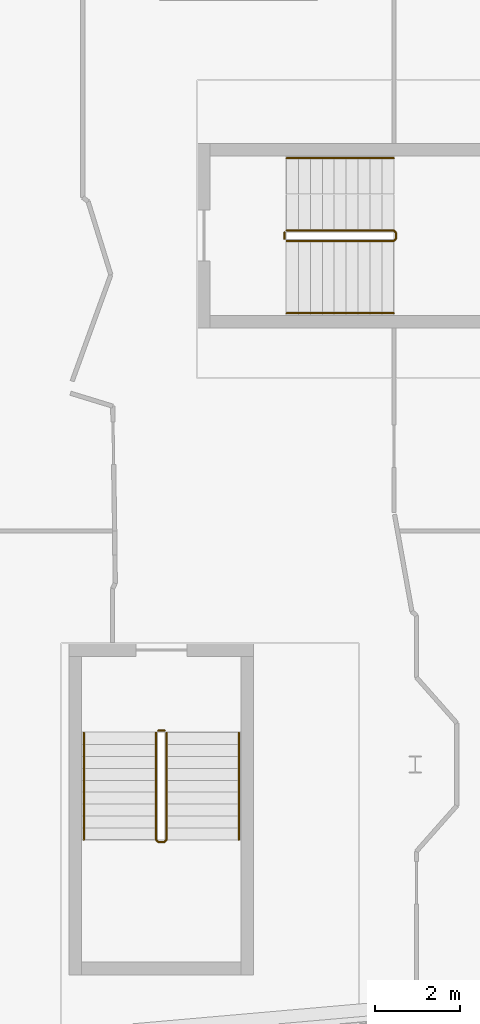
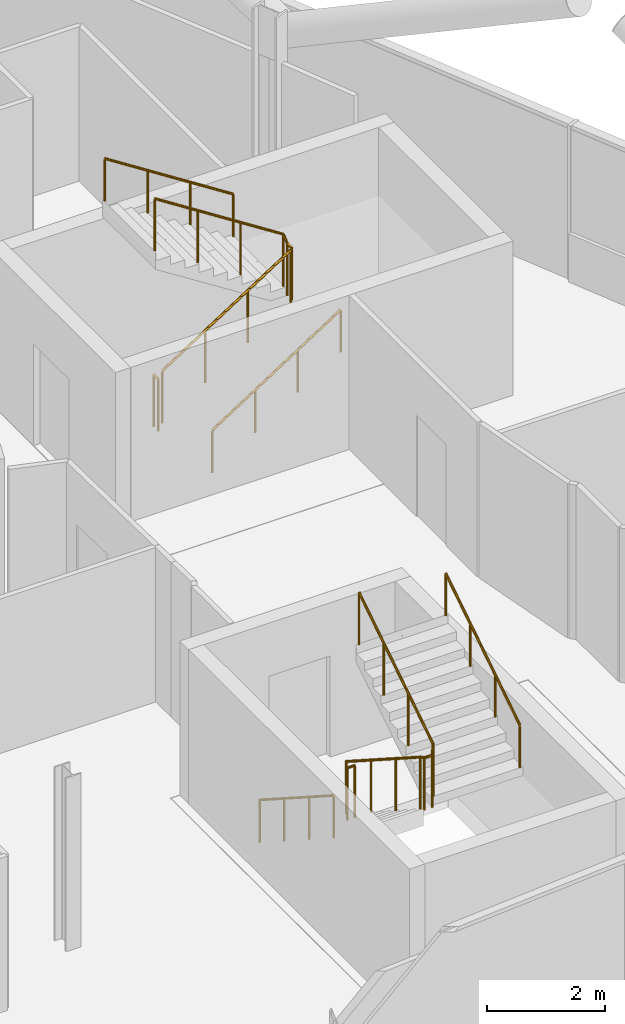
# One storey, part 27 of 28: 8 railings.
"""IFC4 building model written with IfcOpenShell, lengths in metres."""

from ifc_helpers import new_model, si_unit, direction, frame, origin, origin_2d, place, context, subcontext, project, spatial, circle, extrude, material, type_object, element, save


model = new_model("IFC4")

# Units and contexts
model_context = context("Model", 3, precision=1e-05, world=origin(), true_north=direction((0.0, 1.0)))
body_context = subcontext(model_context, "Body", "Model", "MODEL_VIEW")
ifc_project = project(units=[si_unit("LENGTHUNIT", "METRE"), si_unit("AREAUNIT", "SQUARE_METRE"), si_unit("VOLUMEUNIT", "CUBIC_METRE"), si_unit("PLANEANGLEUNIT", "RADIAN"), si_unit("MASSUNIT", "GRAM", prefix="KILO")], contexts=[model_context])

# Site, building, storey
site_placement = place(None, origin())
site = spatial("IfcSite", under=ifc_project, at=site_placement, CompositionType="ELEMENT")
building_placement = place(site_placement, origin())
building = spatial("IfcBuilding", under=site, at=building_placement, Name="Wharfspan Tower", CompositionType="ELEMENT")
storey_placement = place(building_placement, frame((0.0, 0.0, 250.300049)))
storey = spatial("IfcBuildingStorey", under=building, at=storey_placement, Name="L63", CompositionType="ELEMENT", Elevation=250.300049)

# Railings
ifc_material = material(Name="Steel S355J2", Category="steel")
railing_type_1 = type_object("IfcRailingType", Name="Stair guard 1100", PredefinedType="GUARDRAIL", material=ifc_material)
railing_1_placement = place(storey_placement, frame((65.893799, 12.246094, 0.179932)))
element("IfcRailing", 1, at=railing_1_placement, inside=storey, type_object=railing_type_1, Name="L63 ST5 stair guard 1", PredefinedType="GUARDRAIL", context=body_context, shape_type="SweptSolid", body=[
    extrude(circle(Radius=0.023926, at=origin_2d()), frame((0.0, 0.0, 1.076172), z_axis=(0.0, -0.841163, 0.540782), x_axis=(1.0, 0.0, 0.0)), (0.0, 0.0, 1.0), 2.99585),
    extrude(circle(Radius=0.023926, at=origin_2d()), frame((0.0, -2.52002, 2.696289), z_axis=(0.708834, -0.705376, 0.0), x_axis=(0.705376, 0.708834, 0.0)), (0.0, 0.0, 1.0), 0.070557),
    extrude(circle(Radius=0.023926, at=origin_2d()), frame((0.050049, -2.569824, 2.696289), z_axis=(1.0, 0.0, 0.0), x_axis=(0.0, 1.0, 0.0)), (0.0, 0.0, 1.0), 0.149902),
    extrude(circle(Radius=0.023926, at=origin_2d()), frame((0.199951, -2.569824, 2.696289), z_axis=(0.258932, 0.257669, 0.930892), x_axis=(-0.705372, 0.708833, -1e-06)), (0.0, 0.0, 1.0), 0.193359),
    extrude(circle(Radius=0.023926, at=origin_2d()), frame((0.25, -2.52002, 2.875977), z_axis=(0.0, 0.8412, 0.540725), x_axis=(-1.0, 0.0, 0.0)), (0.0, 0.0, 1.0), 2.99585),
    extrude(circle(Radius=0.020996, at=origin_2d()), origin(), (0.0, 0.0, 1.0), 1.052002),
    extrude(circle(Radius=0.020996, at=origin_2d()), frame((0.0, -0.840088, 0.540039)), (0.0, 0.0, 1.0), 1.052002),
    extrude(circle(Radius=0.020996, at=origin_2d()), frame((0.0, -1.679932, 1.080078)), (0.0, 0.0, 1.0), 1.052002),
    extrude(circle(Radius=0.020996, at=origin_2d()), frame((0.0, -2.52002, 1.620117)), (0.0, 0.0, 1.0), 1.052002),
    extrude(circle(Radius=0.020996, at=origin_2d()), frame((0.050049, -2.569824, 1.620117)), (0.0, 0.0, 1.0), 1.052002),
    extrude(circle(Radius=0.020996, at=origin_2d()), frame((0.199951, -2.569824, 1.620117)), (0.0, 0.0, 1.0), 1.052002),
    extrude(circle(Radius=0.020996, at=origin_2d()), frame((0.25, -2.52002, 1.800049)), (0.0, 0.0, 1.0), 1.052002),
    extrude(circle(Radius=0.020996, at=origin_2d()), frame((0.25, -1.679932, 2.340088)), (0.0, 0.0, 1.0), 1.052002),
    extrude(circle(Radius=0.020996, at=origin_2d()), frame((0.25, -0.840088, 2.879883)), (0.0, 0.0, 1.0), 1.052002),
    extrude(circle(Radius=0.020996, at=origin_2d()), frame((0.25, 0.0, 3.419922)), (0.0, 0.0, 1.0), 1.052002),
])
railing_2_placement = place(storey_placement, frame((65.943848, 12.296143, 0.0)))
element("IfcRailing", 2, at=railing_2_placement, inside=storey, type_object=railing_type_1, Name="L63 ST5 stair guard 2", PredefinedType="GUARDRAIL", context=body_context, shape_type="SweptSolid", body=[
    extrude(circle(Radius=0.023926, at=origin_2d()), frame((0.0, 0.0, 1.076172), z_axis=(1.0, 0.0, 0.0), x_axis=(0.0, 1.0, 0.0)), (0.0, 0.0, 1.0), 0.149902),
    extrude(circle(Radius=0.020996, at=origin_2d()), origin(), (0.0, 0.0, 1.0), 1.052002),
    extrude(circle(Radius=0.020996, at=origin_2d()), frame((0.149902, 0.0, 0.0)), (0.0, 0.0, 1.0), 1.052002),
])
railing_3_placement = place(storey_placement, frame((68.969482, 23.824951, 0.179932)))
element("IfcRailing", 3, at=railing_3_placement, inside=storey, type_object=railing_type_1, Name="L63 ST6 stair guard 1", PredefinedType="GUARDRAIL", context=body_context, shape_type="SweptSolid", body=[
    extrude(circle(Radius=0.023926, at=origin_2d()), frame((0.0, 0.0, 1.076172), z_axis=(0.841163, 0.0, 0.540782), x_axis=(0.0, 1.0, 0.0)), (0.0, 0.0, 1.0), 2.99585),
    extrude(circle(Radius=0.023926, at=origin_2d()), frame((2.52002, 0.0, 2.696289), z_axis=(0.707107, 0.707107, 0.0), x_axis=(-0.707107, 0.707107, 0.0)), (0.0, 0.0, 1.0), 0.070801),
    extrude(circle(Radius=0.023926, at=origin_2d()), frame((2.570068, 0.050049, 2.696289), z_axis=(0.0, 1.0, 0.0), x_axis=(-1.0, 0.0, 0.0)), (0.0, 0.0, 1.0), 0.149902),
    extrude(circle(Radius=0.023926, at=origin_2d()), frame((2.570068, 0.199951, 2.696289), z_axis=(-0.258848, 0.258848, 0.930589), x_axis=(-0.707107, -0.707107, 0.0)), (0.0, 0.0, 1.0), 0.193359),
    extrude(circle(Radius=0.023926, at=origin_2d()), frame((2.52002, 0.25, 2.875977), z_axis=(-0.8412, 0.0, 0.540725), x_axis=(0.0, -1.0, 0.0)), (0.0, 0.0, 1.0), 2.99585),
    extrude(circle(Radius=0.020996, at=origin_2d()), origin(), (0.0, 0.0, 1.0), 1.052002),
    extrude(circle(Radius=0.020996, at=origin_2d()), frame((0.840088, 0.0, 0.540039)), (0.0, 0.0, 1.0), 1.052002),
    extrude(circle(Radius=0.020996, at=origin_2d()), frame((1.679932, 0.0, 1.080078)), (0.0, 0.0, 1.0), 1.052002),
    extrude(circle(Radius=0.020996, at=origin_2d()), frame((2.52002, 0.0, 1.620117)), (0.0, 0.0, 1.0), 1.052002),
    extrude(circle(Radius=0.020996, at=origin_2d()), frame((2.570068, 0.050049, 1.620117)), (0.0, 0.0, 1.0), 1.052002),
    extrude(circle(Radius=0.020996, at=origin_2d()), frame((2.570068, 0.199951, 1.620117)), (0.0, 0.0, 1.0), 1.052002),
    extrude(circle(Radius=0.020996, at=origin_2d()), frame((2.52002, 0.25, 1.800049)), (0.0, 0.0, 1.0), 1.052002),
    extrude(circle(Radius=0.020996, at=origin_2d()), frame((1.679932, 0.25, 2.340088)), (0.0, 0.0, 1.0), 1.052002),
    extrude(circle(Radius=0.020996, at=origin_2d()), frame((0.840088, 0.25, 2.879883)), (0.0, 0.0, 1.0), 1.052002),
    extrude(circle(Radius=0.020996, at=origin_2d()), frame((0.0, 0.25, 3.419922)), (0.0, 0.0, 1.0), 1.052002),
])
railing_4_placement = place(storey_placement, frame((68.919678, 23.875, 0.0)))
element("IfcRailing", 4, at=railing_4_placement, inside=storey, type_object=railing_type_1, Name="L63 ST6 stair guard 2", PredefinedType="GUARDRAIL", context=body_context, shape_type="SweptSolid", body=[
    extrude(circle(Radius=0.023926, at=origin_2d()), frame((0.0, 0.0, 1.076172), z_axis=(0.0, 1.0, 0.0), x_axis=(-1.0, 0.0, 0.0)), (0.0, 0.0, 1.0), 0.149902),
    extrude(circle(Radius=0.020996, at=origin_2d()), origin(), (0.0, 0.0, 1.0), 1.052002),
    extrude(circle(Radius=0.020996, at=origin_2d()), frame((0.0, 0.149902, 0.0)), (0.0, 0.0, 1.0), 1.052002),
])
railing_type_2 = type_object("IfcRailingType", Name="Stair handrail 900", PredefinedType="HANDRAIL", material=ifc_material)
railing_5_placement = place(storey_placement, frame((64.193848, 12.246094, 0.179932)))
element("IfcRailing", 5, at=railing_5_placement, inside=storey, type_object=railing_type_2, Name="L63 ST5 stair handrail 1", PredefinedType="HANDRAIL", context=body_context, shape_type="SweptSolid", body=[
    extrude(circle(Radius=0.023926, at=origin_2d()), frame((0.0, 0.0, 0.875977), z_axis=(0.0, -0.841163, 0.540782), x_axis=(1.0, 0.0, 0.0)), (0.0, 0.0, 1.0), 2.99585),
    extrude(circle(Radius=0.020996, at=origin_2d()), origin(), (0.0, 0.0, 1.0), 0.851807),
    extrude(circle(Radius=0.020996, at=origin_2d()), frame((0.0, -0.840088, 0.540039)), (0.0, 0.0, 1.0), 0.851807),
    extrude(circle(Radius=0.020996, at=origin_2d()), frame((0.0, -1.679932, 1.080078)), (0.0, 0.0, 1.0), 0.851807),
    extrude(circle(Radius=0.020996, at=origin_2d()), frame((0.0, -2.52002, 1.620117)), (0.0, 0.0, 1.0), 0.851807),
])
railing_6_placement = place(storey_placement, frame((67.84375, 9.726074, 1.97998)))
element("IfcRailing", 6, at=railing_6_placement, inside=storey, type_object=railing_type_2, Name="L63 ST5 stair handrail 2", PredefinedType="HANDRAIL", context=body_context, shape_type="SweptSolid", body=[
    extrude(circle(Radius=0.023926, at=origin_2d()), frame((0.0, 0.0, 0.875977), z_axis=(0.0, 0.8412, 0.540725), x_axis=(-1.0, 0.0, 0.0)), (0.0, 0.0, 1.0), 2.99585),
    extrude(circle(Radius=0.020996, at=origin_2d()), origin(), (0.0, 0.0, 1.0), 0.851807),
    extrude(circle(Radius=0.020996, at=origin_2d()), frame((0.0, 0.840088, 0.540039)), (0.0, 0.0, 1.0), 0.851807),
    extrude(circle(Radius=0.020996, at=origin_2d()), frame((0.0, 1.679932, 1.079834)), (0.0, 0.0, 1.0), 0.851807),
    extrude(circle(Radius=0.020996, at=origin_2d()), frame((0.0, 2.52002, 1.619873)), (0.0, 0.0, 1.0), 0.851807),
])
railing_7_placement = place(storey_placement, frame((68.969482, 22.125, 0.179932)))
element("IfcRailing", 7, at=railing_7_placement, inside=storey, type_object=railing_type_2, Name="L63 ST6 stair handrail 1", PredefinedType="HANDRAIL", context=body_context, shape_type="SweptSolid", body=[
    extrude(circle(Radius=0.023926, at=origin_2d()), frame((0.0, 0.0, 0.875977), z_axis=(0.841163, 0.0, 0.540782), x_axis=(0.0, 1.0, 0.0)), (0.0, 0.0, 1.0), 2.99585),
    extrude(circle(Radius=0.020996, at=origin_2d()), origin(), (0.0, 0.0, 1.0), 0.851807),
    extrude(circle(Radius=0.020996, at=origin_2d()), frame((0.840088, 0.0, 0.540039)), (0.0, 0.0, 1.0), 0.851807),
    extrude(circle(Radius=0.020996, at=origin_2d()), frame((1.679932, 0.0, 1.080078)), (0.0, 0.0, 1.0), 0.851807),
    extrude(circle(Radius=0.020996, at=origin_2d()), frame((2.52002, 0.0, 1.620117)), (0.0, 0.0, 1.0), 0.851807),
])
railing_8_placement = place(storey_placement, frame((71.489502, 25.774902, 1.97998)))
element("IfcRailing", 8, at=railing_8_placement, inside=storey, type_object=railing_type_2, Name="L63 ST6 stair handrail 2", PredefinedType="HANDRAIL", context=body_context, shape_type="SweptSolid", body=[
    extrude(circle(Radius=0.023926, at=origin_2d()), frame((0.0, 0.0, 0.875977), z_axis=(-0.8412, 0.0, 0.540725), x_axis=(0.0, -1.0, 0.0)), (0.0, 0.0, 1.0), 2.99585),
    extrude(circle(Radius=0.020996, at=origin_2d()), origin(), (0.0, 0.0, 1.0), 0.851807),
    extrude(circle(Radius=0.020996, at=origin_2d()), frame((-0.840088, 0.0, 0.540039)), (0.0, 0.0, 1.0), 0.851807),
    extrude(circle(Radius=0.020996, at=origin_2d()), frame((-1.679932, 0.0, 1.079834)), (0.0, 0.0, 1.0), 0.851807),
    extrude(circle(Radius=0.020996, at=origin_2d()), frame((-2.52002, 0.0, 1.619873)), (0.0, 0.0, 1.0), 0.851807),
])

save(model, "model.ifc")
